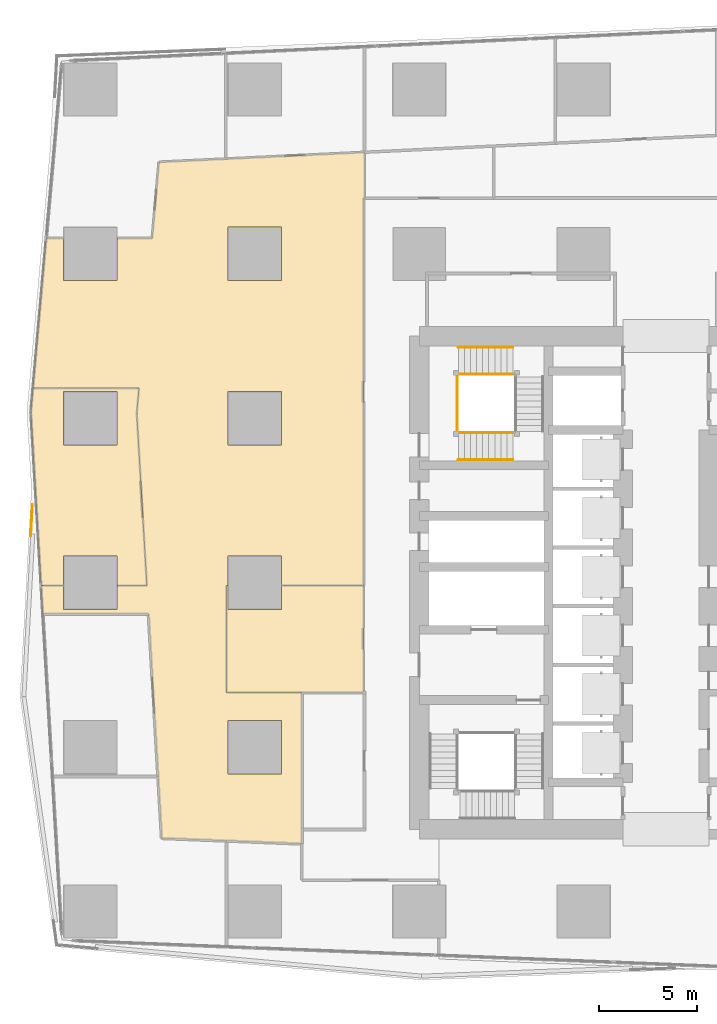
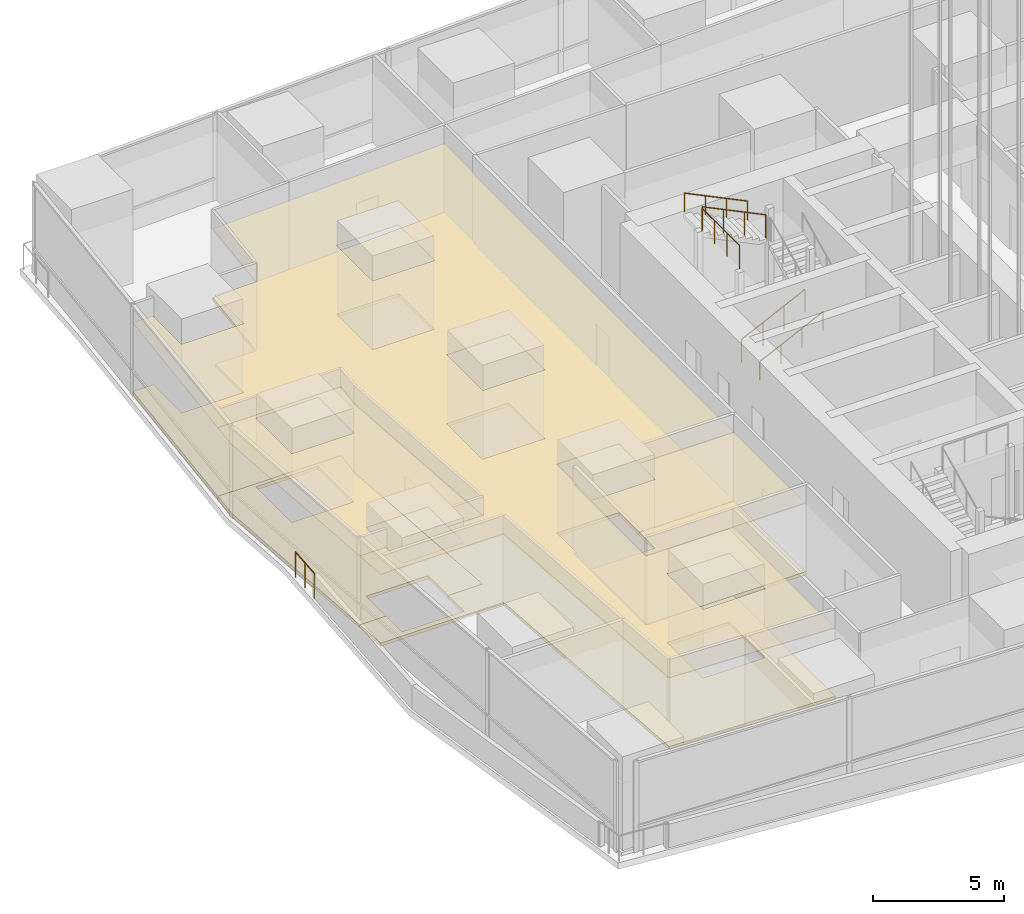
# One storey, part 21 of 39: 6 coverings, 6 railings.
"""IFC4 building model written with IfcOpenShell, lengths in metres."""

import ifcopenshell
import ifcopenshell.guid

model = None  # the IFC model being written
_history = None  # IfcOwnerHistory: only IFC2X3 demands one
_inside = {}  # id of a spatial element -> (the spatial element, [elements in it])
_under = {}  # id of a project, library or spatial element -> (it, [spatial elements below it])
_declared = {}  # id of a project -> (the project, [libraries it declares])
_typed = {}  # id of a type object -> (the type object, [elements of that type])
_made_of = {}  # id of a material, layer set ... -> (it, [elements and type objects made of it])


def new_model(schema):
    """Start an empty IFC model of exactly this schema.

    Asked for "IFC4X3", IfcOpenShell would pick the latest addendum, in which some entities
    have other attributes; the version numbers below select the first issue.
    IFC2X3 requires an IfcOwnerHistory on every rooted entity: one is made here for all.
    """
    global model, _history
    if schema == "IFC4X3":
        model = ifcopenshell.file(schema_version=(4, 3, 0, 0))
    else:
        model = ifcopenshell.file(schema=schema)
    _inside.clear()
    _under.clear()
    _declared.clear()
    _typed.clear()
    _made_of.clear()
    _history = None
    if model.schema == "IFC2X3":
        org = make("IfcOrganization", Name="unknown")
        user = make(
            "IfcPersonAndOrganization",
            ThePerson=make("IfcPerson", FamilyName="unknown"),
            TheOrganization=org,
        )
        app = make(
            "IfcApplication",
            ApplicationDeveloper=org,
            Version="unknown",
            ApplicationFullName="unknown",
            ApplicationIdentifier="unknown",
        )
        _history = make(
            "IfcOwnerHistory",
            OwningUser=user,
            OwningApplication=app,
            ChangeAction="ADDED",
            CreationDate=0,
        )
    return model


def make(cls, **values):
    """One entity of the class cls with the attributes given. An attribute that is None is left unset."""
    return model.create_entity(
        cls, **{name: value for name, value in values.items() if value is not None}
    )


def rooted(cls, **values):
    """An entity with a GlobalId (a new one), such as an element, a storey or a relation."""
    return make(cls, GlobalId=ifcopenshell.guid.new(), OwnerHistory=_history, **values)


def si_unit(unit_type, name, prefix=None):
    """IfcSIUnit, for example si_unit("LENGTHUNIT", "METRE", prefix="MILLI")."""
    return make("IfcSIUnit", UnitType=unit_type, Prefix=prefix, Name=name)


def assignment(units):
    """IfcUnitAssignment: the units of a project."""
    return None if units is None else make("IfcUnitAssignment", Units=units)


def point(xyz):
    """IfcCartesianPoint."""
    return None if xyz is None else make("IfcCartesianPoint", Coordinates=xyz)


def direction(xyz):
    """IfcDirection."""
    return None if xyz is None else make("IfcDirection", DirectionRatios=xyz)


def frame(location, z_axis=None, x_axis=None):
    """IfcAxis2Placement3D, a coordinate frame: its origin and axes. An axis left out is left unset."""
    return make(
        "IfcAxis2Placement3D",
        Location=point(location),
        Axis=direction(z_axis),
        RefDirection=direction(x_axis),
    )


def frame_2d(location, x_axis=None):
    """IfcAxis2Placement2D, a coordinate frame in the plane: its origin and x axis."""
    return make(
        "IfcAxis2Placement2D", Location=point(location), RefDirection=direction(x_axis)
    )


def origin():
    """The frame at (0, 0, 0) with its axes left unset."""
    return frame((0.0, 0.0, 0.0))


def origin_2d():
    """The frame at (0, 0) in the plane with its x axis left unset."""
    return frame_2d((0.0, 0.0))


def place(relative_to, where):
    """IfcLocalPlacement: puts the frame where relative to a parent placement (None: the world)."""
    return make(
        "IfcLocalPlacement", PlacementRelTo=relative_to, RelativePlacement=where
    )


def context(
    kind, dimensions, precision=None, world=None, true_north=None, identifier=None
):
    """IfcGeometricRepresentationContext, for example the 3D "Model" context."""
    return make(
        "IfcGeometricRepresentationContext",
        ContextIdentifier=identifier,
        ContextType=kind,
        CoordinateSpaceDimension=dimensions,
        Precision=precision,
        WorldCoordinateSystem=world,
        TrueNorth=true_north,
    )


def subcontext(parent, identifier, kind, view, scale=None):
    """IfcGeometricRepresentationSubContext, for example "Body" below "Model"."""
    return make(
        "IfcGeometricRepresentationSubContext",
        ContextIdentifier=identifier,
        ContextType=kind,
        ParentContext=parent,
        TargetScale=scale,
        TargetView=view,
    )


def project(units=None, contexts=None):
    """IfcProject with its units and contexts."""
    return rooted(
        "IfcProject",
        Name="project",
        RepresentationContexts=contexts,
        UnitsInContext=assignment(units),
    )


def spatial(cls, under=None, at=None, **own):
    """A site, building, storey or space (cls), placed at a placement, below another one or the project."""
    s = rooted(cls, ObjectPlacement=at, **own)
    if under is not None:
        _under.setdefault(under.id(), (under, []))[1].append(s)
    return s


def polyline(points):
    """IfcPolyline through the points."""
    return make("IfcPolyline", Points=[point(p) for p in points])


def profile(cls, at=None, kind="AREA", **sizes):
    """A parametric profile (cls). Its sizes go by their IFC names, for example OverallWidth=200.0."""
    return make(cls, ProfileType=kind, Position=at, **sizes)


def circle(**sizes):
    """IfcCircleProfileDef."""
    return profile("IfcCircleProfileDef", **sizes)


def outline(outer, holes=None, kind="AREA"):
    """IfcArbitraryClosedProfileDef: a profile drawn as a closed curve; with holes, ...WithVoids."""
    if holes is None:
        return make("IfcArbitraryClosedProfileDef", ProfileType=kind, OuterCurve=outer)
    return make(
        "IfcArbitraryProfileDefWithVoids",
        ProfileType=kind,
        OuterCurve=outer,
        InnerCurves=holes,
    )


def extrude(swept, where, along, depth):
    """IfcExtrudedAreaSolid: the profile swept, set in the frame where, extruded along a direction by depth."""
    return make(
        "IfcExtrudedAreaSolid",
        SweptArea=swept,
        Position=where,
        ExtrudedDirection=direction(along),
        Depth=depth,
    )


def shape(context_of_items, identifier, shape_type, items):
    """IfcShapeRepresentation: the items that make up one representation, for example the "Body"."""
    return make(
        "IfcShapeRepresentation",
        ContextOfItems=context_of_items,
        RepresentationIdentifier=identifier,
        RepresentationType=shape_type,
        Items=items,
    )


def material(Name=None, Category=None):
    """IfcMaterial."""
    return make("IfcMaterial", Name=Name, Category=Category)


def layer(
    of_material, thickness, ventilated=None, Name=None, Category=None, Priority=None
):
    """IfcMaterialLayer: one layer of a wall or slab, of a material (None: an air gap)."""
    return make(
        "IfcMaterialLayer",
        Material=of_material,
        LayerThickness=thickness,
        IsVentilated=ventilated,
        Name=Name,
        Category=Category,
        Priority=Priority,
    )


def layer_set(layers, Name=None):
    """IfcMaterialLayerSet."""
    return make("IfcMaterialLayerSet", MaterialLayers=layers, LayerSetName=Name)


def made_of(thing, what):
    """Note that an element or type object is made of a material, layer set ...; save() writes the relation."""
    if what is not None:
        _made_of.setdefault(what.id(), (what, []))[1].append(thing)
    return thing


def type_object(cls, material=None, **own):
    """A type object (cls), such as IfcWallType, which elements share."""
    return made_of(rooted(cls, **own), material)


def element(
    cls,
    number,
    at=None,
    inside=None,
    cuts=None,
    type_object=None,
    material=None,
    context=None,
    identifier="Body",
    shape_type=None,
    held_by="IfcProductDefinitionShape",
    body=None,
    shapes=None,
    **own,
):
    """One element of the class cls, such as IfcWall. Its Tag is "e" and its number.

    at: its placement. inside: the storey or other place that contains it. cuts: it is an
    opening in that element (IfcRelVoidsElement). A single representation is given by context,
    identifier, shape_type and body (its items); several are given by shapes. held_by: the class
    of the entity that holds the representations. save() writes the other relations.
    """
    e = rooted(cls, Tag="e%d" % number, ObjectPlacement=at, **own)
    if body is not None:
        shapes = [shape(context, identifier, shape_type, body)]
    if shapes is not None:
        e.Representation = make(held_by, Representations=shapes)
    if inside is not None:
        _inside.setdefault(inside.id(), (inside, []))[1].append(e)
    if cuts is not None:
        rooted(
            "IfcRelVoidsElement", RelatingBuildingElement=cuts, RelatedOpeningElement=e
        )
    if type_object is not None:
        _typed.setdefault(type_object.id(), (type_object, []))[1].append(e)
    return made_of(e, material)


def aggregate(whole, parts):
    """IfcRelAggregates: a whole, such as a stair, and the parts it consists of."""
    return rooted("IfcRelAggregates", RelatingObject=whole, RelatedObjects=parts)


def save(model, path):
    """Write the relations noted so far, then the file.

    IfcRelAggregates (storeys below a building ...), IfcRelContainedInSpatialStructure (elements
    in a storey), IfcRelDefinesByType, IfcRelAssociatesMaterial and IfcRelDeclares: one each for
    every whole, place, type object, material and project.
    """
    for whole, parts in _under.values():
        aggregate(whole, parts)
    for where, things in _inside.values():
        rooted(
            "IfcRelContainedInSpatialStructure",
            RelatedElements=things,
            RelatingStructure=where,
        )
    for kind, things in _typed.values():
        rooted("IfcRelDefinesByType", RelatedObjects=things, RelatingType=kind)
    for what, things in _made_of.values():
        rooted("IfcRelAssociatesMaterial", RelatedObjects=things, RelatingMaterial=what)
    for by, libraries in _declared.values():
        rooted("IfcRelDeclares", RelatingContext=by, RelatedDefinitions=libraries)
    model.write(path)


model = new_model("IFC4")

# Units and contexts
model_context = context("Model", 3, precision=1e-05, world=origin(), true_north=direction((0.0, 1.0)))
body_context = subcontext(model_context, "Body", "Model", "MODEL_VIEW")
ifc_project = project(units=[si_unit("LENGTHUNIT", "METRE"), si_unit("AREAUNIT", "SQUARE_METRE"), si_unit("VOLUMEUNIT", "CUBIC_METRE"), si_unit("PLANEANGLEUNIT", "RADIAN"), si_unit("MASSUNIT", "GRAM", prefix="KILO")], contexts=[model_context])

# Site, building, storey
site_placement = place(None, origin())
site = spatial("IfcSite", under=ifc_project, at=site_placement, CompositionType="ELEMENT")
building_placement = place(site_placement, origin())
building = spatial("IfcBuilding", under=site, at=building_placement, Name="Rekha Terrace Tower", CompositionType="ELEMENT")
storey_placement = place(building_placement, frame((0.0, 0.0, 168.199951171875)))
storey = spatial("IfcBuildingStorey", under=building, at=storey_placement, Name="L42", CompositionType="ELEMENT", Elevation=168.199951171875)

# Coverings
ifc_material_1 = material(Name="Mineral fibre tile in exposed grid", Category="finish")
ifc_layer_1 = layer(ifc_material_1, 0.02001953125)
ifc_layer_set_1 = layer_set([ifc_layer_1], Name="Mineral fibre tile in exposed grid")
covering_type_1 = type_object("IfcCoveringType", Name="CL1 600x1200 office grid ceiling", PredefinedType="CEILING", material=ifc_layer_set_1)
covering_1_placement = place(storey_placement, frame((0.0, 0.0, 3.330078125)))
element("IfcCovering", 1, at=covering_1_placement, inside=storey, type_object=covering_type_1, Name="Ceiling L42-12", PredefinedType="CEILING", context=body_context, shape_type="SweptSolid", body=[
    extrude(outline(polyline([(9.764892578125, 34.965087890625), (9.764892578125, 33.446044921875), (11.282958984375, 33.446044921875), (10.764892578125, 42.248046875), (10.87890625, 43.541015625), (5.4580078125, 43.541015625), (5.35107421875, 42.326904296875), (5.8740234375, 33.446044921875), (7.034912109375, 33.446044921875), (7.034912109375, 34.965087890625), (9.764892578125, 34.965087890625)]), holes=[polyline([(9.764892578125, 40.635009765625), (7.034912109375, 40.635009765625), (7.034912109375, 43.364990234375), (9.764892578125, 43.364990234375), (9.764892578125, 40.635009765625)])]), origin(), (0.0, 0.0, 1.0), 0.02001953125),
])
covering_2_placement = place(storey_placement, frame((0.0, 0.0, 3.330078125)))
element("IfcCovering", 2, at=covering_2_placement, inside=storey, type_object=covering_type_1, Name="Ceiling L42-O2b", PredefinedType="CEILING", context=body_context, shape_type="SweptSolid", body=[
    extrude(outline(polyline([(11.368896484375, 31.989990234375), (11.85595703125, 23.702880859375), (12.0419921875, 20.5439453125), (15.341064453125, 20.412109375), (19.199951171875, 20.258056640625), (19.199951171875, 28.0), (15.340087890625, 28.0), (15.340087890625, 33.446044921875), (15.43505859375, 33.446044921875), (15.43505859375, 34.965087890625), (18.1650390625, 34.965087890625), (18.1650390625, 33.446044921875), (22.35009765625, 33.446044921875), (22.35009765625, 53.25), (22.402099609375, 53.25), (22.402099609375, 55.592041015625), (15.301025390625, 55.251953125), (11.89892578125, 55.090087890625), (11.555908203125, 51.2080078125), (9.764892578125, 51.2080078125), (9.764892578125, 49.034912109375), (7.034912109375, 49.034912109375), (7.034912109375, 51.2080078125), (6.135009765625, 51.2080078125), (5.4580078125, 43.541015625), (10.87890625, 43.541015625), (10.764892578125, 42.248046875), (11.282958984375, 33.445068359375), (9.764892578125, 33.445068359375), (9.764892578125, 32.235107421875), (7.034912109375, 32.235107421875), (7.034912109375, 33.445068359375), (5.8740234375, 33.445068359375), (5.958984375, 31.989990234375), (11.368896484375, 31.989990234375)]), holes=[polyline([(18.1650390625, 23.8349609375), (15.43505859375, 23.8349609375), (15.43505859375, 26.56494140625), (18.1650390625, 26.56494140625), (18.1650390625, 23.8349609375)]), polyline([(18.1650390625, 43.364990234375), (18.1650390625, 40.635009765625), (15.43505859375, 40.635009765625), (15.43505859375, 43.364990234375), (18.1650390625, 43.364990234375)]), polyline([(18.1650390625, 51.764892578125), (18.1650390625, 49.034912109375), (15.43505859375, 49.034912109375), (15.43505859375, 51.764892578125), (18.1650390625, 51.764892578125)])]), origin(), (0.0, 0.0, 1.0), 0.02001953125),
])
covering_3_placement = place(storey_placement, frame((0.0, 0.0, 3.330078125)))
element("IfcCovering", 3, at=covering_3_placement, inside=storey, type_object=covering_type_1, Name="Ceiling L42-16", PredefinedType="CEILING", context=body_context, shape_type="SweptSolid", body=[
    extrude(outline(polyline([(15.340087890625, 33.445068359375), (15.340087890625, 28.0), (22.35009765625, 28.0), (22.35009765625, 33.445068359375), (18.1650390625, 33.445068359375), (18.1650390625, 32.235107421875), (15.43505859375, 32.235107421875), (15.43505859375, 33.445068359375), (15.340087890625, 33.445068359375)])), origin(), (0.0, 0.0, 1.0), 0.02001953125),
])

# Railings
ifc_material_2 = material(Name="Stainless steel balustrade", Category="steel")
railing_type_1 = type_object("IfcRailingType", Name="GR1 1100 stair guard", PredefinedType="GUARDRAIL", material=ifc_material_2)
railing_1_placement = place(storey_placement, frame((27.199951171875, 41.264892578125, 0.150146484375)))
element("IfcRailing", 4, at=railing_1_placement, inside=storey, type_object=railing_type_1, Name="Guard ST4 L42 flight 1", PredefinedType="GUARDRAIL", context=body_context, shape_type="SweptSolid", body=[
    extrude(circle(Radius=0.02392578125, at=origin_2d()), frame((0.0, 0.0, 1.076171875), z_axis=(0.900180171504, 0.0, 0.435517690606), x_axis=(0.0, 1.0, 0.0)), (0.0, 0.0, 1.0), 3.099365234375),
    extrude(circle(Radius=0.02099609375, at=origin_2d()), origin(), (0.0, 0.0, 1.0), 1.052001953125),
    extrude(circle(Radius=0.02099609375, at=origin_2d()), frame((0.929931640625, 0.0, 0.449951171875)), (0.0, 0.0, 1.0), 1.052001953125),
    extrude(circle(Radius=0.02099609375, at=origin_2d()), frame((1.860107421875, 0.0, 0.89990234375)), (0.0, 0.0, 1.0), 1.052001953125),
    extrude(circle(Radius=0.02099609375, at=origin_2d()), frame((2.7900390625, 0.0, 1.349853515625)), (0.0, 0.0, 1.0), 1.052001953125),
])
railing_2_placement = place(storey_placement, frame((29.989990234375, 44.260009765625, 3.150146484375)))
element("IfcRailing", 5, at=railing_2_placement, inside=storey, type_object=railing_type_1, Name="Guard ST4 L42 flight 3", PredefinedType="GUARDRAIL", context=body_context, shape_type="SweptSolid", body=[
    extrude(circle(Radius=0.02392578125, at=origin_2d()), frame((0.0, 0.0, 1.076171875), z_axis=(-0.900180171504, 0.0, 0.435517690606), x_axis=(0.0, -1.0, 0.0)), (0.0, 0.0, 1.0), 3.099365234375),
    extrude(circle(Radius=0.02099609375, at=origin_2d()), origin(), (0.0, 0.0, 1.0), 1.052001953125),
    extrude(circle(Radius=0.02099609375, at=origin_2d()), frame((-0.929931640625, 0.0, 0.449951171875)), (0.0, 0.0, 1.0), 1.052001953125),
    extrude(circle(Radius=0.02099609375, at=origin_2d()), frame((-1.860107421875, 0.0, 0.89990234375)), (0.0, 0.0, 1.0), 1.052001953125),
    extrude(circle(Radius=0.02099609375, at=origin_2d()), frame((-2.7900390625, 0.0, 1.349853515625)), (0.0, 0.0, 1.0), 1.052001953125),
])
railing_3_placement = place(storey_placement, frame((27.139892578125, 41.324951171875, 4.5)))
element("IfcRailing", 6, at=railing_3_placement, inside=storey, type_object=railing_type_1, Name="Guard ST4 L42 landing 4", PredefinedType="GUARDRAIL", context=body_context, shape_type="SweptSolid", body=[
    extrude(circle(Radius=0.02392578125, at=origin_2d()), frame((0.0, 0.0, 1.076171875), z_axis=(0.0, 1.0, 0.0), x_axis=(-1.0, 0.0, 0.0)), (0.0, 0.0, 1.0), 2.875),
    extrude(circle(Radius=0.02099609375, at=origin_2d()), origin(), (0.0, 0.0, 1.0), 1.052001953125),
    extrude(circle(Radius=0.02099609375, at=origin_2d()), frame((0.0, 0.958251953125, 0.0)), (0.0, 0.0, 1.0), 1.052001953125),
    extrude(circle(Radius=0.02099609375, at=origin_2d()), frame((0.0, 1.916748046875, 0.0)), (0.0, 0.0, 1.0), 1.052001953125),
    extrude(circle(Radius=0.02099609375, at=origin_2d()), frame((0.0, 2.875, 0.0)), (0.0, 0.0, 1.0), 1.052001953125),
])
ifc_material_3 = material(Name="Steel guard with vertical balusters", Category="steel")
railing_type_2 = type_object("IfcRailingType", Name="GR2 refuge area guard 1200", PredefinedType="GUARDRAIL", material=ifc_material_3)
railing_4_placement = place(storey_placement, frame((5.438720703125, 37.593505859375, 0.0)))
element("IfcRailing", 7, at=railing_4_placement, inside=storey, type_object=railing_type_2, Name="Ledge corner guard", PredefinedType="GUARDRAIL", context=body_context, shape_type="SweptSolid", body=[
    extrude(circle(Radius=0.02392578125, at=origin_2d()), frame((0.0, 0.0, 1.17578125), z_axis=(-0.054664347319, -0.998504786735, 0.0), x_axis=(0.998504786735, -0.054664347319, 0.0)), (0.0, 0.0, 1.0), 1.594482421875),
    extrude(circle(Radius=0.02099609375, at=origin_2d()), origin(), (0.0, 0.0, 1.0), 1.15185546875),
    extrude(circle(Radius=0.02099609375, at=origin_2d()), frame((-0.04345703125, -0.7958984375, 0.0)), (0.0, 0.0, 1.0), 1.15185546875),
    extrude(circle(Radius=0.02099609375, at=origin_2d()), frame((-0.087158203125, -1.592041015625, 0.0)), (0.0, 0.0, 1.0), 1.15185546875),
])
ifc_material_4 = material(Name="Stainless steel tube", Category="steel")
railing_type_3 = type_object("IfcRailingType", Name="HR1 900 stair handrail", PredefinedType="HANDRAIL", material=ifc_material_4)
railing_5_placement = place(storey_placement, frame((27.199951171875, 39.885009765625, 0.150146484375)))
element("IfcRailing", 8, at=railing_5_placement, inside=storey, type_object=railing_type_3, Name="Handrail ST4 L42 flight 1", PredefinedType="HANDRAIL", context=body_context, shape_type="SweptSolid", body=[
    extrude(circle(Radius=0.02392578125, at=origin_2d()), frame((0.0, 0.0, 0.8759765625), z_axis=(0.900180171504, 0.0, 0.435517690606), x_axis=(0.0, 1.0, 0.0)), (0.0, 0.0, 1.0), 3.099365234375),
    extrude(circle(Radius=0.02099609375, at=origin_2d()), origin(), (0.0, 0.0, 1.0), 0.851806640625),
    extrude(circle(Radius=0.02099609375, at=origin_2d()), frame((0.929931640625, 0.0, 0.449951171875)), (0.0, 0.0, 1.0), 0.851806640625),
    extrude(circle(Radius=0.02099609375, at=origin_2d()), frame((1.860107421875, 0.0, 0.89990234375)), (0.0, 0.0, 1.0), 0.851806640625),
    extrude(circle(Radius=0.02099609375, at=origin_2d()), frame((2.7900390625, 0.0, 1.349853515625)), (0.0, 0.0, 1.0), 0.851806640625),
])
railing_6_placement = place(storey_placement, frame((29.989990234375, 45.639892578125, 3.150146484375)))
element("IfcRailing", 9, at=railing_6_placement, inside=storey, type_object=railing_type_3, Name="Handrail ST4 L42 flight 3", PredefinedType="HANDRAIL", context=body_context, shape_type="SweptSolid", body=[
    extrude(circle(Radius=0.02392578125, at=origin_2d()), frame((0.0, 0.0, 0.8759765625), z_axis=(-0.900180171504, 0.0, 0.435517690606), x_axis=(0.0, -1.0, 0.0)), (0.0, 0.0, 1.0), 3.099365234375),
    extrude(circle(Radius=0.02099609375, at=origin_2d()), origin(), (0.0, 0.0, 1.0), 0.851806640625),
    extrude(circle(Radius=0.02099609375, at=origin_2d()), frame((-0.929931640625, 0.0, 0.449951171875)), (0.0, 0.0, 1.0), 0.851806640625),
    extrude(circle(Radius=0.02099609375, at=origin_2d()), frame((-1.860107421875, 0.0, 0.89990234375)), (0.0, 0.0, 1.0), 0.851806640625),
    extrude(circle(Radius=0.02099609375, at=origin_2d()), frame((-2.7900390625, 0.0, 1.349853515625)), (0.0, 0.0, 1.0), 0.851806640625),
])

# Coverings
ifc_material_5 = material(Name="Calcium sulphate panels on steel pedestals", Category="steel")
ifc_layer_2 = layer(ifc_material_5, 0.14990234375)
ifc_layer_set_2 = layer_set([ifc_layer_2], Name="Calcium sulphate panels on steel pedestals")
covering_type_2 = type_object("IfcCoveringType", Name="RF1 150 raised access floor", PredefinedType="FLOORING", material=ifc_layer_set_2)
covering_4_placement = place(storey_placement, origin())
element("IfcCovering", 10, at=covering_4_placement, inside=storey, type_object=covering_type_2, Name="Raised floor L42-12", PredefinedType="FLOORING", context=body_context, shape_type="SweptSolid", body=[
    extrude(outline(polyline([(9.764892578125, 34.965087890625), (9.764892578125, 33.446044921875), (11.282958984375, 33.446044921875), (10.764892578125, 42.248046875), (10.87890625, 43.541015625), (5.4580078125, 43.541015625), (5.35107421875, 42.326904296875), (5.8740234375, 33.446044921875), (7.034912109375, 33.446044921875), (7.034912109375, 34.965087890625), (9.764892578125, 34.965087890625)]), holes=[polyline([(9.764892578125, 40.635009765625), (7.034912109375, 40.635009765625), (7.034912109375, 43.364990234375), (9.764892578125, 43.364990234375), (9.764892578125, 40.635009765625)])]), origin(), (0.0, 0.0, 1.0), 0.150146484375),
])
covering_5_placement = place(storey_placement, origin())
element("IfcCovering", 11, at=covering_5_placement, inside=storey, type_object=covering_type_2, Name="Raised floor L42-O2b", PredefinedType="FLOORING", context=body_context, shape_type="SweptSolid", body=[
    extrude(outline(polyline([(11.368896484375, 31.989990234375), (11.85595703125, 23.702880859375), (12.0419921875, 20.5439453125), (15.341064453125, 20.412109375), (19.199951171875, 20.258056640625), (19.199951171875, 28.0), (15.340087890625, 28.0), (15.340087890625, 33.446044921875), (15.43505859375, 33.446044921875), (15.43505859375, 34.965087890625), (18.1650390625, 34.965087890625), (18.1650390625, 33.446044921875), (22.35009765625, 33.446044921875), (22.35009765625, 53.25), (22.402099609375, 53.25), (22.402099609375, 55.592041015625), (15.301025390625, 55.251953125), (11.89892578125, 55.090087890625), (11.555908203125, 51.2080078125), (9.764892578125, 51.2080078125), (9.764892578125, 49.034912109375), (7.034912109375, 49.034912109375), (7.034912109375, 51.2080078125), (6.135009765625, 51.2080078125), (5.4580078125, 43.541015625), (10.87890625, 43.541015625), (10.764892578125, 42.248046875), (11.282958984375, 33.445068359375), (9.764892578125, 33.445068359375), (9.764892578125, 32.235107421875), (7.034912109375, 32.235107421875), (7.034912109375, 33.445068359375), (5.8740234375, 33.445068359375), (5.958984375, 31.989990234375), (11.368896484375, 31.989990234375)]), holes=[polyline([(18.1650390625, 23.8349609375), (15.43505859375, 23.8349609375), (15.43505859375, 26.56494140625), (18.1650390625, 26.56494140625), (18.1650390625, 23.8349609375)]), polyline([(18.1650390625, 43.364990234375), (18.1650390625, 40.635009765625), (15.43505859375, 40.635009765625), (15.43505859375, 43.364990234375), (18.1650390625, 43.364990234375)]), polyline([(18.1650390625, 51.764892578125), (18.1650390625, 49.034912109375), (15.43505859375, 49.034912109375), (15.43505859375, 51.764892578125), (18.1650390625, 51.764892578125)])]), origin(), (0.0, 0.0, 1.0), 0.150146484375),
])
covering_6_placement = place(storey_placement, origin())
element("IfcCovering", 12, at=covering_6_placement, inside=storey, type_object=covering_type_2, Name="Raised floor L42-16", PredefinedType="FLOORING", context=body_context, shape_type="SweptSolid", body=[
    extrude(outline(polyline([(15.340087890625, 33.445068359375), (15.340087890625, 28.0), (22.35009765625, 28.0), (22.35009765625, 33.445068359375), (18.1650390625, 33.445068359375), (18.1650390625, 32.235107421875), (15.43505859375, 32.235107421875), (15.43505859375, 33.445068359375), (15.340087890625, 33.445068359375)])), origin(), (0.0, 0.0, 1.0), 0.150146484375),
])

save(model, "model.ifc")
